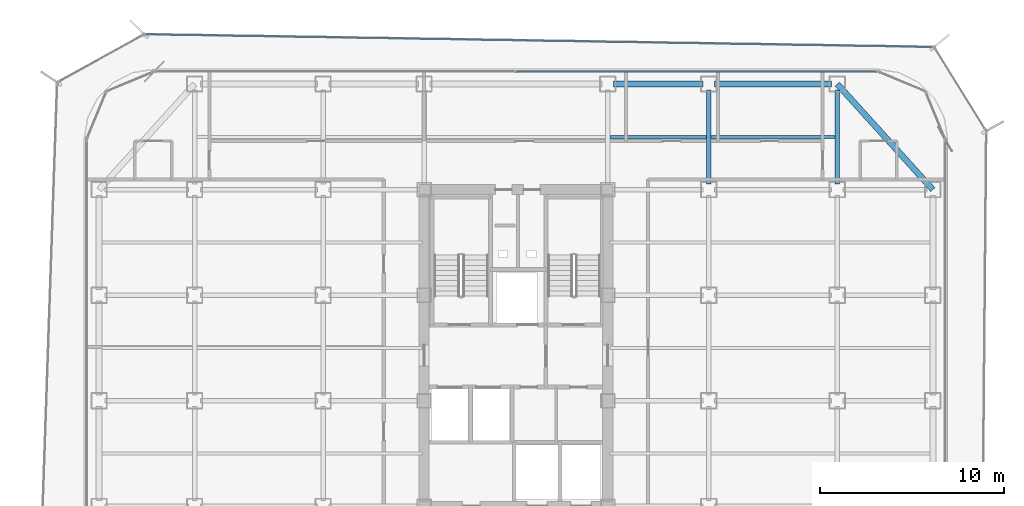
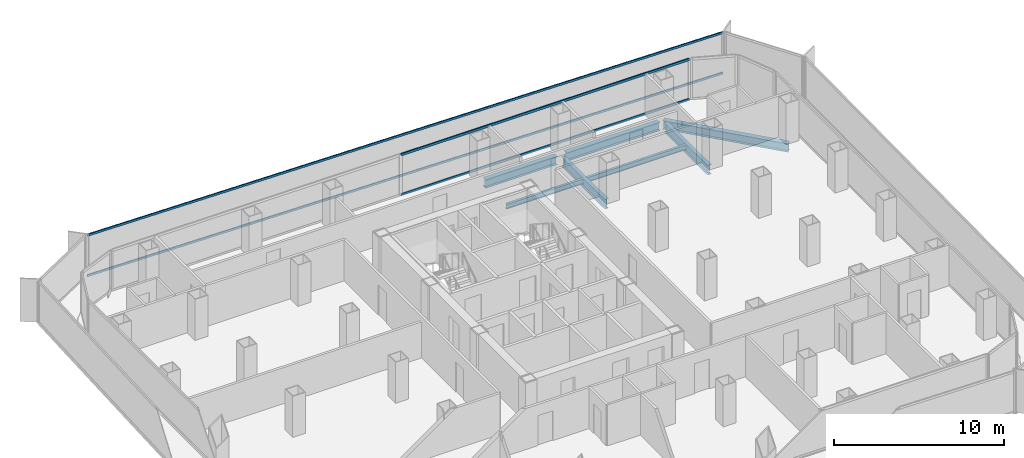
# One storey, part 13 of 21: 7 beams, 4 members, 2 elements without a shape of their own.
"""IFC4 building model written with IfcOpenShell, lengths in metres."""

from ifc_helpers import new_model, si_unit, direction, frame, origin, origin_2d, place, context, subcontext, project, spatial, hollow_rectangle, i_section, extrude, source, transform, mapped, material, layer, layer_set, material_profile, profile_set, type_object, element, aggregate, save


model = new_model("IFC4")

# Units and contexts
model_context = context("Model", 3, precision=1e-05, world=origin(), true_north=direction((0.0, 1.0)))
body_context = subcontext(model_context, "Body", "Model", "MODEL_VIEW")
ifc_project = project(units=[si_unit("LENGTHUNIT", "METRE"), si_unit("AREAUNIT", "SQUARE_METRE"), si_unit("VOLUMEUNIT", "CUBIC_METRE"), si_unit("PLANEANGLEUNIT", "RADIAN"), si_unit("MASSUNIT", "GRAM", prefix="KILO")], contexts=[model_context])

# Site, building, storey
site_placement = place(None, origin())
site = spatial("IfcSite", under=ifc_project, at=site_placement, CompositionType="ELEMENT")
building_placement = place(site_placement, origin())
building = spatial("IfcBuilding", under=site, at=building_placement, Name="Kolveth Station Tower", CompositionType="ELEMENT")
storey_placement = place(building_placement, frame((0.0, 0.0, 95.89990234375)))
storey = spatial("IfcBuildingStorey", under=building, at=storey_placement, Name="L25", CompositionType="ELEMENT", Elevation=95.89990234375)

# Beams
ifc_material_1 = material(Name="Steel S355", Category="steel")
ifc_material_profile_1 = material_profile(ifc_material_1, i_section(OverallWidth=0.323974609375, OverallDepth=0.611083984375, WebThickness=0.0126953125, FlangeThickness=0.01904296875, at=origin_2d()), Name="W610x155")
ifc_profile_set_1 = profile_set([ifc_material_profile_1], Name="Steel S355")
beam_type_1 = type_object("IfcBeamType", Name="Beam_SP2", PredefinedType="SPANDREL", material=ifc_profile_set_1)
shared_shape_1 = source(origin(), body_context, "Body", "SweptSolid", [
    extrude(i_section(OverallWidth=0.323974609375, OverallDepth=0.611083984375, WebThickness=0.0126953125, FlangeThickness=0.01904296875, at=origin_2d()), origin(), (0.0, 0.0, 1.0), 6.35986328125),
])
beam_1_placement = place(storey_placement, frame((34.320068359375, 34.5, -0.555419921875), z_axis=(1.0, 0.0, 0.0), x_axis=(0.0, 1.0, 0.0)))
element("IfcBeam", 1, at=beam_1_placement, inside=storey, type_object=beam_type_1, Name="L25 Perimeter Spandrel BM-L25-PN-5", PredefinedType="SPANDREL", context=body_context, shape_type="MappedRepresentation", body=[
    mapped(shared_shape_1, transform((0.0, 0.0, 0.0), x_axis=(1.0, 0.0, 0.0), y_axis=(0.0, 1.0, 0.0), z_axis=(0.0, 0.0, 1.0), scale=1.0)),
])
shared_shape_2 = source(origin(), body_context, "Body", "SweptSolid", [
    extrude(i_section(OverallWidth=0.323974609375, OverallDepth=0.611083984375, WebThickness=0.0126953125, FlangeThickness=0.01904296875, at=origin_2d()), origin(), (0.0, 0.0, 1.0), 4.85986328125),
])
beam_2_placement = place(storey_placement, frame((28.820068359375, 34.5, -0.555419921875), z_axis=(1.0, 0.0, 0.0), x_axis=(0.0, 1.0, 0.0)))
element("IfcBeam", 2, at=beam_2_placement, inside=storey, type_object=beam_type_1, Name="L25 Perimeter Spandrel BM-L25-PN-4", PredefinedType="SPANDREL", context=body_context, shape_type="MappedRepresentation", body=[
    mapped(shared_shape_2, transform((0.0, 0.0, 0.0), x_axis=(1.0, 0.0, 0.0), y_axis=(0.0, 1.0, 0.0), z_axis=(0.0, 0.0, 1.0), scale=1.0)),
])
shared_shape_3 = source(origin(), body_context, "Body", "SweptSolid", [
    extrude(i_section(OverallWidth=0.323974609375, OverallDepth=0.611083984375, WebThickness=0.0126953125, FlangeThickness=0.01904296875, at=origin_2d()), origin(), (0.0, 0.0, 1.0), 7.75244140625),
])
beam_3_placement = place(storey_placement, frame((46.199951171875, 28.75, -0.555419921875), z_axis=(-0.670740965555, 0.74169168603, 0.0), x_axis=(-0.74169168603, -0.670740965555, 0.0)))
element("IfcBeam", 3, at=beam_3_placement, inside=storey, type_object=beam_type_1, Name="L25 Corner Edge Girder BM-L25-CNR-NE", PredefinedType="SPANDREL", context=body_context, shape_type="MappedRepresentation", body=[
    mapped(shared_shape_3, transform((0.0, 0.0, 0.0), x_axis=(1.0, 0.0, 0.0), y_axis=(0.0, 1.0, 0.0), z_axis=(0.0, 0.0, 1.0), scale=1.0)),
])
ifc_material_profile_2 = material_profile(ifc_material_1, i_section(OverallWidth=0.25390625, OverallDepth=0.68798828125, WebThickness=0.01318359375, FlangeThickness=0.02099609375, at=origin_2d()), Name="W690x152")
ifc_profile_set_2 = profile_set([ifc_material_profile_2], Name="Steel S355")
beam_type_2 = type_object("IfcBeamType", Name="Beam_B4", PredefinedType="BEAM", material=ifc_profile_set_2)
shared_shape_4 = source(origin(), body_context, "Body", "SweptSolid", [
    extrude(i_section(OverallWidth=0.25390625, OverallDepth=0.68798828125, WebThickness=0.01318359375, FlangeThickness=0.02099609375, at=origin_2d()), origin(), (0.0, 0.0, 1.0), 5.10986328125),
])
for number, where, z_axis, x_axis, name in (
    (4, (34.0, 29.070068359375, -0.593994140625), (0.0, 1.0, 0.0), (-1.0, 0.0, 0.0), "L25 Primary Girder BM-L25-GX340-6"),
    (5, (41.0, 29.070068359375, -0.593994140625), (0.0, 1.0, 0.0), (-1.0, 0.0, 0.0), "L25 Primary Girder BM-L25-GX410-6"),
):
    element("IfcBeam", number, at=place(storey_placement, frame(where, z_axis=z_axis, x_axis=x_axis)), inside=storey, type_object=beam_type_2, Name=name, PredefinedType="BEAM", context=body_context, shape_type="MappedRepresentation", body=[
        mapped(shared_shape_4, transform((0.0, 0.0, 0.0), x_axis=(1.0, 0.0, 0.0), y_axis=(0.0, 1.0, 0.0), z_axis=(0.0, 0.0, 1.0), scale=1.0)),
    ])
ifc_material_profile_3 = material_profile(ifc_material_1, i_section(OverallWidth=0.1708984375, OverallDepth=0.35205078125, WebThickness=0.0068359375, FlangeThickness=0.009765625, at=origin_2d()), Name="W360x44")
ifc_profile_set_3 = profile_set([ifc_material_profile_3], Name="Steel S355")
beam_type_3 = type_object("IfcBeamType", Name="Beam_J2", PredefinedType="JOIST", material=ifc_profile_set_3)
shared_shape_5 = source(origin(), body_context, "Body", "SweptSolid", [
    extrude(i_section(OverallWidth=0.1708984375, OverallDepth=0.35205078125, WebThickness=0.0068359375, FlangeThickness=0.009765625, at=origin_2d()), origin(), (0.0, 0.0, 1.0), 6.75),
])
beam_4_placement = place(storey_placement, frame((34.125, 31.625, -0.42578125), z_axis=(1.0, 0.0, 0.0), x_axis=(0.0, 1.0, 0.0)))
element("IfcBeam", 6, at=beam_4_placement, inside=storey, type_object=beam_type_3, Name="L25 Secondary Joist JST-L25-6-6", PredefinedType="JOIST", context=body_context, shape_type="MappedRepresentation", body=[
    mapped(shared_shape_5, transform((0.0, 0.0, 0.0), x_axis=(1.0, 0.0, 0.0), y_axis=(0.0, 1.0, 0.0), z_axis=(0.0, 0.0, 1.0), scale=1.0)),
])
shared_shape_6 = source(origin(), body_context, "Body", "SweptSolid", [
    extrude(i_section(OverallWidth=0.1708984375, OverallDepth=0.35205078125, WebThickness=0.0068359375, FlangeThickness=0.009765625, at=origin_2d()), origin(), (0.0, 0.0, 1.0), 5.25),
])
beam_5_placement = place(storey_placement, frame((28.625, 31.625, -0.42578125), z_axis=(1.0, 0.0, 0.0), x_axis=(0.0, 1.0, 0.0)))
element("IfcBeam", 7, at=beam_5_placement, inside=storey, type_object=beam_type_3, Name="L25 Secondary Joist JST-L25-5-6", PredefinedType="JOIST", context=body_context, shape_type="MappedRepresentation", body=[
    mapped(shared_shape_6, transform((0.0, 0.0, 0.0), x_axis=(1.0, 0.0, 0.0), y_axis=(0.0, 1.0, 0.0), z_axis=(0.0, 0.0, 1.0), scale=1.0)),
])

# Curtain wall, members
ifc_material_2 = material(Name="Aluminium 6063-T6 and low-E dark glass", Category="aluminium")
ifc_layer_1 = layer(ifc_material_2, 0.18994140625)
ifc_layer_set_1 = layer_set([ifc_layer_1], Name="Aluminium 6063-T6 and low-E dark glass")
curtain_wall_type_1 = type_object("IfcCurtainWallType", Name="CurtainWall_CW-Z2", PredefinedType="NOTDEFINED", material=ifc_layer_set_1)
curtain_wall_1_placement = place(storey_placement, origin())
curtain_wall_1 = element("IfcCurtainWall", 8, at=curtain_wall_1_placement, inside=storey, type_object=curtain_wall_type_1, Name="L25 Inner Thermal Curtain Wall 6", PredefinedType="NOTDEFINED")
ifc_material_3 = material(Name="Black anodized aluminium 6063-T6", Category="aluminium")
ifc_material_profile_4 = material_profile(ifc_material_3, hollow_rectangle(XDim=0.080078125, YDim=0.169921875, WallThickness=0.0048828125, at=origin_2d()), Name="ALU-80x170x5")
ifc_profile_set_4 = profile_set([ifc_material_profile_4], Name="Black anodized aluminium 6063-T6")
member_type_1 = type_object("IfcMemberType", Name="Transom_TR2", PredefinedType="USERDEFINED", material=ifc_profile_set_4)
shared_shape_7 = source(origin(), body_context, "Body", "SweptSolid", [
    extrude(hollow_rectangle(XDim=0.080078125, YDim=0.169921875, WallThickness=0.0048828125, at=origin_2d()), origin(), (0.0, 0.0, 1.0), 19.580078125),
])
member_1_placement = place(storey_placement, frame((43.1201171875, 35.179931640625, 0.0400390625), z_axis=(-1.0, 0.0, 0.0), x_axis=(0.0, -1.0, 0.0)))
member_1 = element("IfcMember", 9, at=member_1_placement, type_object=member_type_1, Name="CW-Z2 transom 1.1", ObjectType="TRANSOM", PredefinedType="USERDEFINED", context=body_context, shape_type="MappedRepresentation", body=[
    mapped(shared_shape_7, transform((0.0, 0.0, 0.0), x_axis=(1.0, 0.0, 0.0), y_axis=(0.0, 1.0, 0.0), z_axis=(0.0, 0.0, 1.0), scale=1.0)),
])
member_2_placement = place(storey_placement, frame((43.1201171875, 35.179931640625, 2.91015625), z_axis=(-1.0, 0.0, 0.0), x_axis=(0.0, -1.0, 0.0)))
member_2 = element("IfcMember", 10, at=member_2_placement, type_object=member_type_1, Name="CW-Z2 transom 1.2", ObjectType="TRANSOM", PredefinedType="USERDEFINED", context=body_context, shape_type="MappedRepresentation", body=[
    mapped(shared_shape_7, transform((0.0, 0.0, 0.0), x_axis=(1.0, 0.0, 0.0), y_axis=(0.0, 1.0, 0.0), z_axis=(0.0, 0.0, 1.0), scale=1.0)),
])
aggregate(curtain_wall_1, [member_1, member_2])

ifc_material_4 = material(Name="Black anodized aluminium 6063-T6 and dark solar glass", Category="aluminium")
ifc_layer_2 = layer(ifc_material_4, 0.159912109375)
ifc_layer_set_2 = layer_set([ifc_layer_2], Name="Black anodized aluminium 6063-T6 and dark solar glass")
curtain_wall_type_2 = type_object("IfcCurtainWallType", Name="OUTER SKIN CW-OS", PredefinedType="NOTDEFINED", material=ifc_layer_set_2)
curtain_wall_2_placement = place(storey_placement, origin())
curtain_wall_2 = element("IfcCurtainWall", 11, at=curtain_wall_2_placement, inside=storey, type_object=curtain_wall_type_2, Name="L25 Outer Ventilated Skin Curtain Wall 4", PredefinedType="NOTDEFINED")
ifc_material_profile_5 = material_profile(ifc_material_3, hollow_rectangle(XDim=0.080078125, YDim=0.14990234375, WallThickness=0.0048828125, at=origin_2d()), Name="ALU-80x150x5")
ifc_profile_set_5 = profile_set([ifc_material_profile_5], Name="Black anodized aluminium 6063-T6")
member_type_2 = type_object("IfcMemberType", Name="Transom_TR-OS", PredefinedType="USERDEFINED", material=ifc_profile_set_5)
shared_shape_8 = source(origin(), body_context, "Body", "SweptSolid", [
    extrude(hollow_rectangle(XDim=0.080078125, YDim=0.14990234375, WallThickness=0.0048828125, at=origin_2d()), origin(), (0.0, 0.0, 1.0), 42.8369140625),
])
member_3_placement = place(storey_placement, frame((46.1875, 36.5185546875, 0.0400390625), z_axis=(-0.999870377595, 0.01610055927, 0.0), x_axis=(-0.01610055927, -0.999870377595, 0.0)))
member_3 = element("IfcMember", 12, at=member_3_placement, type_object=member_type_2, Name="CW-OS transom 1.1", ObjectType="TRANSOM", PredefinedType="USERDEFINED", context=body_context, shape_type="MappedRepresentation", body=[
    mapped(shared_shape_8, transform((0.0, 0.0, 0.0), x_axis=(1.0, 0.0, 0.0), y_axis=(0.0, 1.0, 0.0), z_axis=(0.0, 0.0, 1.0), scale=1.0)),
])
member_4_placement = place(storey_placement, frame((46.1875, 36.5185546875, 2.9501953125), z_axis=(-0.999870377595, 0.01610055927, 0.0), x_axis=(-0.01610055927, -0.999870377595, 0.0)))
member_4 = element("IfcMember", 13, at=member_4_placement, type_object=member_type_2, Name="CW-OS transom 1.2", ObjectType="TRANSOM", PredefinedType="USERDEFINED", context=body_context, shape_type="MappedRepresentation", body=[
    mapped(shared_shape_8, transform((0.0, 0.0, 0.0), x_axis=(1.0, 0.0, 0.0), y_axis=(0.0, 1.0, 0.0), z_axis=(0.0, 0.0, 1.0), scale=1.0)),
])
aggregate(curtain_wall_2, [member_3, member_4])

save(model, "model.ifc")
